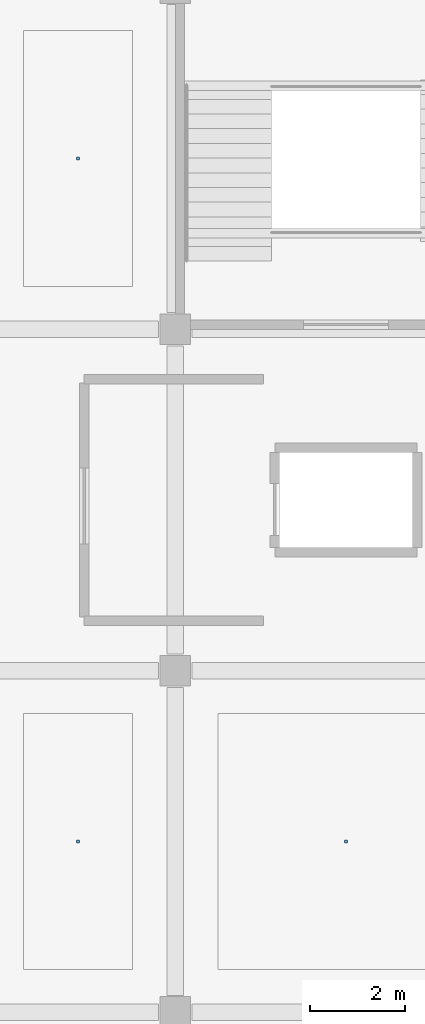
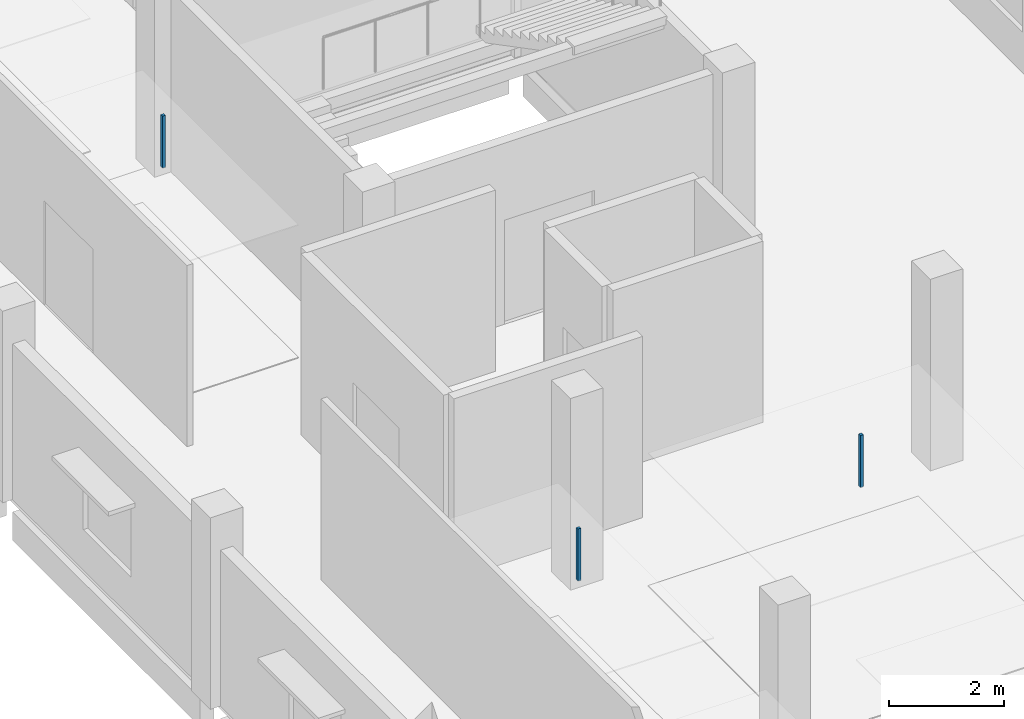
# One storey, part 69 of 77: 3 discrete accessories.
"""IFC4 building model written with IfcOpenShell, lengths in metres."""

from ifc_helpers import new_model, si_unit, direction, frame, origin, origin_2d, place, context, subcontext, project, spatial, rectangle, extrude, material, type_object, element, save


model = new_model("IFC4")

# Units and contexts
model_context = context("Model", 3, precision=1e-05, world=origin(), true_north=direction((0.0, 1.0)))
body_context = subcontext(model_context, "Body", "Model", "MODEL_VIEW")
ifc_project = project(units=[si_unit("LENGTHUNIT", "METRE"), si_unit("AREAUNIT", "SQUARE_METRE"), si_unit("VOLUMEUNIT", "CUBIC_METRE"), si_unit("PLANEANGLEUNIT", "RADIAN"), si_unit("MASSUNIT", "GRAM", prefix="KILO")], contexts=[model_context])

# Site, building, storey
site_placement = place(None, origin())
site = spatial("IfcSite", under=ifc_project, at=site_placement, CompositionType="ELEMENT")
building_placement = place(site_placement, origin())
building = spatial("IfcBuilding", under=site, at=building_placement, Name="Kangsadwip Square Police Headquarters", CompositionType="ELEMENT")
storey_placement = place(building_placement, frame((0.0, 0.0, 17.550048828125)))
storey = spatial("IfcBuildingStorey", under=building, at=storey_placement, Name="L04", CompositionType="ELEMENT", Elevation=17.550048828125)

# Discrete accessories
ifc_material = material(Name="Structural steel IS 2062 E350 (Grade 350, 350 MPa)", Category="steel")
discrete_accessory_type = type_object("IfcDiscreteAccessoryType", Name="VeilOutriggerBracket", PredefinedType="BRACKET", material=ifc_material)
for number, where, z_axis, x_axis, name in (
    (1, (149.14990234375, 46.800048828125, 2.809814453125), (0.0, 0.0, 1.0), (1.0, 0.0, 0.0), "Ceiling Suspension Hanger L04-126"),
    (2, (154.800048828125, 46.800048828125, 2.809814453125), (0.0, 0.0, 1.0), (1.0, 0.0, 0.0), "Ceiling Suspension Hanger L04-127"),
    (3, (149.14990234375, 61.199951171875, 2.809814453125), (0.0, 0.0, 1.0), (1.0, 0.0, 0.0), "Ceiling Suspension Hanger L04-128"),
):
    element("IfcDiscreteAccessory", number, at=place(storey_placement, frame(where, z_axis=z_axis, x_axis=x_axis)), inside=storey, type_object=discrete_accessory_type, Name=name, PredefinedType="BRACKET", context=body_context, shape_type="SweptSolid", body=[
        extrude(rectangle(XDim=0.06005859375, YDim=0.06005859375, at=origin_2d()), origin(), (0.0, 0.0, 1.0), 1.10009765625),
    ])

save(model, "model.ifc")
